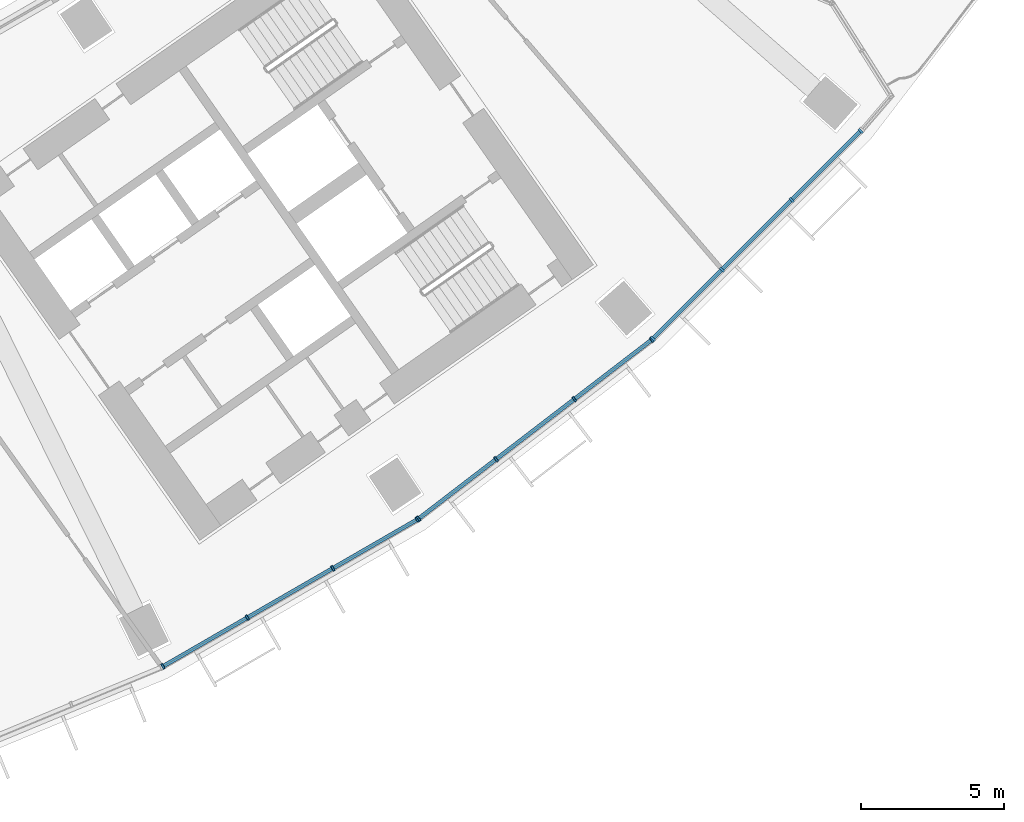
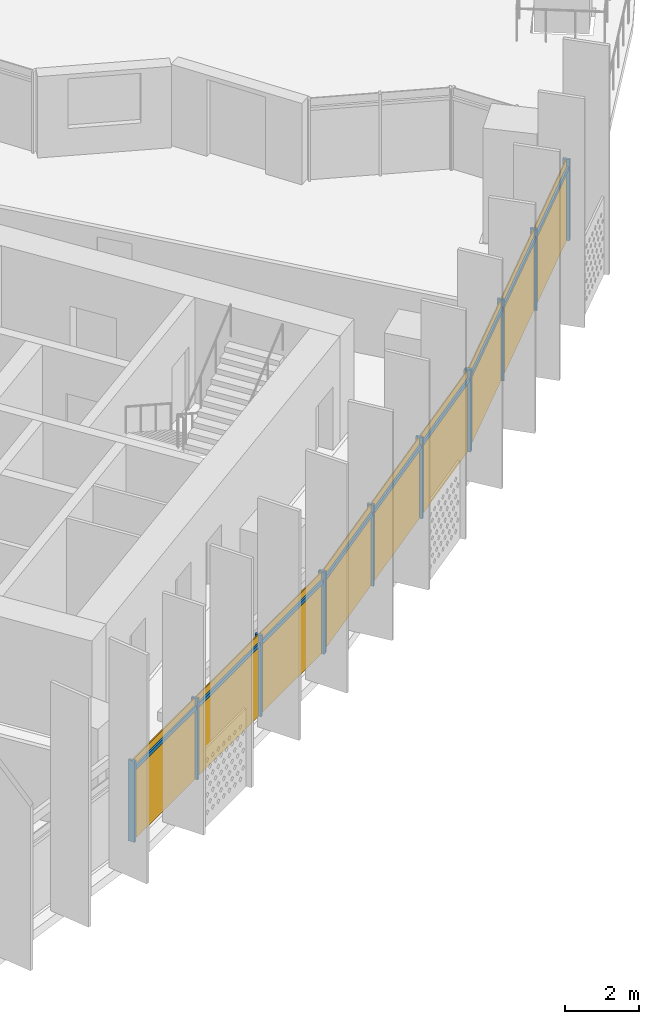
# One storey, part 22 of 33: 21 members, 3 curtain walls.
"""IFC4 building model written with IfcOpenShell, lengths in metres."""

import ifcopenshell
import ifcopenshell.guid

model = None  # the IFC model being written
_history = None  # IfcOwnerHistory: only IFC2X3 demands one
_inside = {}  # id of a spatial element -> (the spatial element, [elements in it])
_under = {}  # id of a project, library or spatial element -> (it, [spatial elements below it])
_declared = {}  # id of a project -> (the project, [libraries it declares])
_typed = {}  # id of a type object -> (the type object, [elements of that type])
_made_of = {}  # id of a material, layer set ... -> (it, [elements and type objects made of it])


def new_model(schema):
    """Start an empty IFC model of exactly this schema.

    Asked for "IFC4X3", IfcOpenShell would pick the latest addendum, in which some entities
    have other attributes; the version numbers below select the first issue.
    IFC2X3 requires an IfcOwnerHistory on every rooted entity: one is made here for all.
    """
    global model, _history
    if schema == "IFC4X3":
        model = ifcopenshell.file(schema_version=(4, 3, 0, 0))
    else:
        model = ifcopenshell.file(schema=schema)
    _inside.clear()
    _under.clear()
    _declared.clear()
    _typed.clear()
    _made_of.clear()
    _history = None
    if model.schema == "IFC2X3":
        org = make("IfcOrganization", Name="unknown")
        user = make(
            "IfcPersonAndOrganization",
            ThePerson=make("IfcPerson", FamilyName="unknown"),
            TheOrganization=org,
        )
        app = make(
            "IfcApplication",
            ApplicationDeveloper=org,
            Version="unknown",
            ApplicationFullName="unknown",
            ApplicationIdentifier="unknown",
        )
        _history = make(
            "IfcOwnerHistory",
            OwningUser=user,
            OwningApplication=app,
            ChangeAction="ADDED",
            CreationDate=0,
        )
    return model


def make(cls, **values):
    """One entity of the class cls with the attributes given. An attribute that is None is left unset."""
    return model.create_entity(
        cls, **{name: value for name, value in values.items() if value is not None}
    )


def rooted(cls, **values):
    """An entity with a GlobalId (a new one), such as an element, a storey or a relation."""
    return make(cls, GlobalId=ifcopenshell.guid.new(), OwnerHistory=_history, **values)


def si_unit(unit_type, name, prefix=None):
    """IfcSIUnit, for example si_unit("LENGTHUNIT", "METRE", prefix="MILLI")."""
    return make("IfcSIUnit", UnitType=unit_type, Prefix=prefix, Name=name)


def assignment(units):
    """IfcUnitAssignment: the units of a project."""
    return None if units is None else make("IfcUnitAssignment", Units=units)


def point(xyz):
    """IfcCartesianPoint."""
    return None if xyz is None else make("IfcCartesianPoint", Coordinates=xyz)


def direction(xyz):
    """IfcDirection."""
    return None if xyz is None else make("IfcDirection", DirectionRatios=xyz)


def frame(location, z_axis=None, x_axis=None):
    """IfcAxis2Placement3D, a coordinate frame: its origin and axes. An axis left out is left unset."""
    return make(
        "IfcAxis2Placement3D",
        Location=point(location),
        Axis=direction(z_axis),
        RefDirection=direction(x_axis),
    )


def frame_2d(location, x_axis=None):
    """IfcAxis2Placement2D, a coordinate frame in the plane: its origin and x axis."""
    return make(
        "IfcAxis2Placement2D", Location=point(location), RefDirection=direction(x_axis)
    )


def origin():
    """The frame at (0, 0, 0) with its axes left unset."""
    return frame((0.0, 0.0, 0.0))


def origin_2d():
    """The frame at (0, 0) in the plane with its x axis left unset."""
    return frame_2d((0.0, 0.0))


def place(relative_to, where):
    """IfcLocalPlacement: puts the frame where relative to a parent placement (None: the world)."""
    return make(
        "IfcLocalPlacement", PlacementRelTo=relative_to, RelativePlacement=where
    )


def context(
    kind, dimensions, precision=None, world=None, true_north=None, identifier=None
):
    """IfcGeometricRepresentationContext, for example the 3D "Model" context."""
    return make(
        "IfcGeometricRepresentationContext",
        ContextIdentifier=identifier,
        ContextType=kind,
        CoordinateSpaceDimension=dimensions,
        Precision=precision,
        WorldCoordinateSystem=world,
        TrueNorth=true_north,
    )


def subcontext(parent, identifier, kind, view, scale=None):
    """IfcGeometricRepresentationSubContext, for example "Body" below "Model"."""
    return make(
        "IfcGeometricRepresentationSubContext",
        ContextIdentifier=identifier,
        ContextType=kind,
        ParentContext=parent,
        TargetScale=scale,
        TargetView=view,
    )


def project(units=None, contexts=None):
    """IfcProject with its units and contexts."""
    return rooted(
        "IfcProject",
        Name="project",
        RepresentationContexts=contexts,
        UnitsInContext=assignment(units),
    )


def spatial(cls, under=None, at=None, **own):
    """A site, building, storey or space (cls), placed at a placement, below another one or the project."""
    s = rooted(cls, ObjectPlacement=at, **own)
    if under is not None:
        _under.setdefault(under.id(), (under, []))[1].append(s)
    return s


def profile(cls, at=None, kind="AREA", **sizes):
    """A parametric profile (cls). Its sizes go by their IFC names, for example OverallWidth=200.0."""
    return make(cls, ProfileType=kind, Position=at, **sizes)


def rectangle(**sizes):
    """IfcRectangleProfileDef."""
    return profile("IfcRectangleProfileDef", **sizes)


def extrude(swept, where, along, depth):
    """IfcExtrudedAreaSolid: the profile swept, set in the frame where, extruded along a direction by depth."""
    return make(
        "IfcExtrudedAreaSolid",
        SweptArea=swept,
        Position=where,
        ExtrudedDirection=direction(along),
        Depth=depth,
    )


def shape(context_of_items, identifier, shape_type, items):
    """IfcShapeRepresentation: the items that make up one representation, for example the "Body"."""
    return make(
        "IfcShapeRepresentation",
        ContextOfItems=context_of_items,
        RepresentationIdentifier=identifier,
        RepresentationType=shape_type,
        Items=items,
    )


def material(Name=None, Category=None):
    """IfcMaterial."""
    return make("IfcMaterial", Name=Name, Category=Category)


def material_profile(
    of_material, cross_section, Name=None, Category=None, Priority=None
):
    """IfcMaterialProfile: a cross section and its material."""
    return make(
        "IfcMaterialProfile",
        Name=Name,
        Material=of_material,
        Profile=cross_section,
        Priority=Priority,
        Category=Category,
    )


def profile_set(profiles, Name=None, composite=None):
    """IfcMaterialProfileSet."""
    return make(
        "IfcMaterialProfileSet",
        Name=Name,
        MaterialProfiles=profiles,
        CompositeProfile=composite,
    )


def made_of(thing, what):
    """Note that an element or type object is made of a material, layer set ...; save() writes the relation."""
    if what is not None:
        _made_of.setdefault(what.id(), (what, []))[1].append(thing)
    return thing


def type_object(cls, material=None, **own):
    """A type object (cls), such as IfcWallType, which elements share."""
    return made_of(rooted(cls, **own), material)


def element(
    cls,
    number,
    at=None,
    inside=None,
    cuts=None,
    type_object=None,
    material=None,
    context=None,
    identifier="Body",
    shape_type=None,
    held_by="IfcProductDefinitionShape",
    body=None,
    shapes=None,
    **own,
):
    """One element of the class cls, such as IfcWall. Its Tag is "e" and its number.

    at: its placement. inside: the storey or other place that contains it. cuts: it is an
    opening in that element (IfcRelVoidsElement). A single representation is given by context,
    identifier, shape_type and body (its items); several are given by shapes. held_by: the class
    of the entity that holds the representations. save() writes the other relations.
    """
    e = rooted(cls, Tag="e%d" % number, ObjectPlacement=at, **own)
    if body is not None:
        shapes = [shape(context, identifier, shape_type, body)]
    if shapes is not None:
        e.Representation = make(held_by, Representations=shapes)
    if inside is not None:
        _inside.setdefault(inside.id(), (inside, []))[1].append(e)
    if cuts is not None:
        rooted(
            "IfcRelVoidsElement", RelatingBuildingElement=cuts, RelatedOpeningElement=e
        )
    if type_object is not None:
        _typed.setdefault(type_object.id(), (type_object, []))[1].append(e)
    return made_of(e, material)


def aggregate(whole, parts):
    """IfcRelAggregates: a whole, such as a stair, and the parts it consists of."""
    return rooted("IfcRelAggregates", RelatingObject=whole, RelatedObjects=parts)


def save(model, path):
    """Write the relations noted so far, then the file.

    IfcRelAggregates (storeys below a building ...), IfcRelContainedInSpatialStructure (elements
    in a storey), IfcRelDefinesByType, IfcRelAssociatesMaterial and IfcRelDeclares: one each for
    every whole, place, type object, material and project.
    """
    for whole, parts in _under.values():
        aggregate(whole, parts)
    for where, things in _inside.values():
        rooted(
            "IfcRelContainedInSpatialStructure",
            RelatedElements=things,
            RelatingStructure=where,
        )
    for kind, things in _typed.values():
        rooted("IfcRelDefinesByType", RelatedObjects=things, RelatingType=kind)
    for what, things in _made_of.values():
        rooted("IfcRelAssociatesMaterial", RelatedObjects=things, RelatingMaterial=what)
    for by, libraries in _declared.values():
        rooted("IfcRelDeclares", RelatingContext=by, RelatedDefinitions=libraries)
    model.write(path)


model = new_model("IFC4")

# Units and contexts
model_context = context("Model", 3, precision=1e-05, world=origin(), true_north=direction((0.0, 1.0)))
body_context = subcontext(model_context, "Body", "Model", "MODEL_VIEW")
ifc_project = project(units=[si_unit("LENGTHUNIT", "METRE"), si_unit("AREAUNIT", "SQUARE_METRE"), si_unit("VOLUMEUNIT", "CUBIC_METRE"), si_unit("PLANEANGLEUNIT", "RADIAN"), si_unit("MASSUNIT", "GRAM", prefix="KILO")], contexts=[model_context])

# Member
ifc_material = material(Name="Aluminium 6063-T6 anodised", Category="aluminium")
ifc_material_profile_1 = material_profile(ifc_material, rectangle(XDim=0.199951171875, YDim=0.070068359375, at=origin_2d()))
ifc_profile_set_1 = profile_set([ifc_material_profile_1], Name="Aluminium 6063-T6 anodised")
member_type_1 = type_object("IfcMemberType", Name="Mullion 70 x 200 aluminium", PredefinedType="MULLION", material=ifc_profile_set_1)
site_placement = place(None, origin())
building_placement = place(site_placement, origin())
storey_placement = place(building_placement, frame((0.0, 0.0, 94.89990234375)))
member_1_placement = place(storey_placement, frame((35.0537109375, -71.017822265625, 0.0), z_axis=(0.0, 0.0, 1.0), x_axis=(-0.5, 0.866025403784, 0.0)))
member_1 = element("IfcMember", 1, at=member_1_placement, type_object=member_type_1, Name="e-cw1-L20-out13/M00", PredefinedType="MULLION", context=body_context, shape_type="SweptSolid", body=[
    extrude(rectangle(XDim=0.199951171875, YDim=0.070068359375, at=origin_2d()), origin(), (0.0, 0.0, 1.0), 2.7001953125),
])

member_2_placement = place(storey_placement, frame((38.017822265625, -69.306640625, 0.0), z_axis=(0.0, 0.0, 1.0), x_axis=(-0.5, 0.866025403784, 0.0)))
member_2 = element("IfcMember", 2, at=member_2_placement, type_object=member_type_1, Name="e-cw1-L20-out13/M01", PredefinedType="MULLION", context=body_context, shape_type="SweptSolid", body=[
    extrude(rectangle(XDim=0.199951171875, YDim=0.070068359375, at=origin_2d()), origin(), (0.0, 0.0, 1.0), 2.7001953125),
])

member_3_placement = place(storey_placement, frame((41.01220703125, -67.577880859375, 0.0), z_axis=(0.0, 0.0, 1.0), x_axis=(-0.5, 0.866025403784, 0.0)))
member_3 = element("IfcMember", 3, at=member_3_placement, type_object=member_type_1, Name="e-cw1-L20-out13/M02", PredefinedType="MULLION", context=body_context, shape_type="SweptSolid", body=[
    extrude(rectangle(XDim=0.199951171875, YDim=0.070068359375, at=origin_2d()), origin(), (0.0, 0.0, 1.0), 2.7001953125),
])

member_4_placement = place(storey_placement, frame((43.976318359375, -65.866455078125, 0.0), z_axis=(0.0, 0.0, 1.0), x_axis=(-0.5, 0.866025403784, 0.0)))
member_4 = element("IfcMember", 4, at=member_4_placement, type_object=member_type_1, Name="e-cw1-L20-out13/M03", PredefinedType="MULLION", context=body_context, shape_type="SweptSolid", body=[
    extrude(rectangle(XDim=0.199951171875, YDim=0.070068359375, at=origin_2d()), origin(), (0.0, 0.0, 1.0), 2.7001953125),
])

member_5_placement = place(storey_placement, frame((44.023681640625, -65.8349609375, 0.0), z_axis=(0.0, 0.0, 1.0), x_axis=(-0.608761429009, 0.793353340291, 0.0)))
member_5 = element("IfcMember", 5, at=member_5_placement, type_object=member_type_1, Name="e-cw1-L20-out14/M00", PredefinedType="MULLION", context=body_context, shape_type="SweptSolid", body=[
    extrude(rectangle(XDim=0.199951171875, YDim=0.070068359375, at=origin_2d()), origin(), (0.0, 0.0, 1.0), 2.7001953125),
])

member_6_placement = place(storey_placement, frame((46.739013671875, -63.751220703125, 0.0), z_axis=(0.0, 0.0, 1.0), x_axis=(-0.608761429009, 0.793353340291, 0.0)))
member_6 = element("IfcMember", 6, at=member_6_placement, type_object=member_type_1, Name="e-cw1-L20-out14/M01", PredefinedType="MULLION", context=body_context, shape_type="SweptSolid", body=[
    extrude(rectangle(XDim=0.199951171875, YDim=0.070068359375, at=origin_2d()), origin(), (0.0, 0.0, 1.0), 2.7001953125),
])

member_7_placement = place(storey_placement, frame((49.482177734375, -61.646484375, 0.0), z_axis=(0.0, 0.0, 1.0), x_axis=(-0.608761429009, 0.793353340291, 0.0)))
member_7 = element("IfcMember", 7, at=member_7_placement, type_object=member_type_1, Name="e-cw1-L20-out14/M02", PredefinedType="MULLION", context=body_context, shape_type="SweptSolid", body=[
    extrude(rectangle(XDim=0.199951171875, YDim=0.070068359375, at=origin_2d()), origin(), (0.0, 0.0, 1.0), 2.7001953125),
])

member_8_placement = place(storey_placement, frame((52.197509765625, -59.56298828125, 0.0), z_axis=(0.0, 0.0, 1.0), x_axis=(-0.608761429009, 0.793353340291, 0.0)))
member_8 = element("IfcMember", 8, at=member_8_placement, type_object=member_type_1, Name="e-cw1-L20-out14/M03", PredefinedType="MULLION", context=body_context, shape_type="SweptSolid", body=[
    extrude(rectangle(XDim=0.199951171875, YDim=0.070068359375, at=origin_2d()), origin(), (0.0, 0.0, 1.0), 2.7001953125),
])

member_9_placement = place(storey_placement, frame((52.240234375, -59.525390625, 0.0), z_axis=(0.0, 0.0, 1.0), x_axis=(-0.707106781187, 0.707106781187, 0.0)))
member_9 = element("IfcMember", 9, at=member_9_placement, type_object=member_type_1, Name="e-cw1-L20-out15/M00", PredefinedType="MULLION", context=body_context, shape_type="SweptSolid", body=[
    extrude(rectangle(XDim=0.199951171875, YDim=0.070068359375, at=origin_2d()), origin(), (0.0, 0.0, 1.0), 2.7001953125),
])

member_10_placement = place(storey_placement, frame((54.660400390625, -57.105224609375, 0.0), z_axis=(0.0, 0.0, 1.0), x_axis=(-0.707106781187, 0.707106781187, 0.0)))
member_10 = element("IfcMember", 10, at=member_10_placement, type_object=member_type_1, Name="e-cw1-L20-out15/M01", PredefinedType="MULLION", context=body_context, shape_type="SweptSolid", body=[
    extrude(rectangle(XDim=0.199951171875, YDim=0.070068359375, at=origin_2d()), origin(), (0.0, 0.0, 1.0), 2.7001953125),
])

member_11_placement = place(storey_placement, frame((57.105224609375, -54.660400390625, 0.0), z_axis=(0.0, 0.0, 1.0), x_axis=(-0.707106781187, 0.707106781187, 0.0)))
member_11 = element("IfcMember", 11, at=member_11_placement, type_object=member_type_1, Name="e-cw1-L20-out15/M02", PredefinedType="MULLION", context=body_context, shape_type="SweptSolid", body=[
    extrude(rectangle(XDim=0.199951171875, YDim=0.070068359375, at=origin_2d()), origin(), (0.0, 0.0, 1.0), 2.7001953125),
])

member_12_placement = place(storey_placement, frame((59.525390625, -52.240234375, 0.0), z_axis=(0.0, 0.0, 1.0), x_axis=(-0.707106781187, 0.707106781187, 0.0)))
member_12 = element("IfcMember", 12, at=member_12_placement, type_object=member_type_1, Name="e-cw1-L20-out15/M03", PredefinedType="MULLION", context=body_context, shape_type="SweptSolid", body=[
    extrude(rectangle(XDim=0.199951171875, YDim=0.070068359375, at=origin_2d()), origin(), (0.0, 0.0, 1.0), 2.7001953125),
])

ifc_material_profile_2 = material_profile(ifc_material, rectangle(XDim=0.139892578125, YDim=0.1201171875, at=origin_2d()))
ifc_profile_set_2 = profile_set([ifc_material_profile_2], Name="Aluminium 6063-T6 anodised")
member_type_2 = type_object("IfcMemberType", Name="Transom 120 x 140 aluminium", PredefinedType="USERDEFINED", material=ifc_profile_set_2)
member_13_placement = place(storey_placement, frame((35.084228515625, -71.00048828125, 2.400146484375), z_axis=(0.865989120267, 0.50006283963, 0.0), x_axis=(-0.50006283963, 0.865989120267, 0.0)))
member_13 = element("IfcMember", 13, at=member_13_placement, type_object=member_type_2, Name="e-cw1-L20-out13/T00", ObjectType="TRANSOM", PredefinedType="USERDEFINED", context=body_context, shape_type="SweptSolid", body=[
    extrude(rectangle(XDim=0.139892578125, YDim=0.1201171875, at=origin_2d()), origin(), (0.0, 0.0, 1.0), 3.3525390625),
])

member_14_placement = place(storey_placement, frame((38.048095703125, -69.2890625, 2.400146484375), z_axis=(0.866025971257, 0.499999017107, 0.0), x_axis=(-0.499999017107, 0.866025971257, 0.0)))
member_14 = element("IfcMember", 14, at=member_14_placement, type_object=member_type_2, Name="e-cw1-L20-out13/T01", ObjectType="TRANSOM", PredefinedType="USERDEFINED", context=body_context, shape_type="SweptSolid", body=[
    extrude(rectangle(XDim=0.139892578125, YDim=0.1201171875, at=origin_2d()), origin(), (0.0, 0.0, 1.0), 3.3876953125),
])

member_15_placement = place(storey_placement, frame((41.042724609375, -67.560302734375, 2.400146484375), z_axis=(0.866020654818, 0.50000822536, 0.0), x_axis=(-0.50000822536, 0.866020654818, 0.0)))
member_15 = element("IfcMember", 15, at=member_15_placement, type_object=member_type_2, Name="e-cw1-L20-out13/T02", ObjectType="TRANSOM", PredefinedType="USERDEFINED", context=body_context, shape_type="SweptSolid", body=[
    extrude(rectangle(XDim=0.139892578125, YDim=0.1201171875, at=origin_2d()), origin(), (0.0, 0.0, 1.0), 3.3525390625),
])

member_16_placement = place(storey_placement, frame((44.05126953125, -65.8134765625, 2.400146484375), z_axis=(0.793389477316, 0.608714331426, 0.0), x_axis=(-0.608714331426, 0.793389477316, 0.0)))
member_16 = element("IfcMember", 16, at=member_16_placement, type_object=member_type_2, Name="e-cw1-L20-out14/T00", ObjectType="TRANSOM", PredefinedType="USERDEFINED", context=body_context, shape_type="SweptSolid", body=[
    extrude(rectangle(XDim=0.139892578125, YDim=0.1201171875, at=origin_2d()), origin(), (0.0, 0.0, 1.0), 3.3525390625),
])

member_17_placement = place(storey_placement, frame((46.766845703125, -63.72998046875, 2.400146484375), z_axis=(0.793344133173, 0.608773427772, 0.0), x_axis=(-0.608773427772, 0.793344133173, 0.0)))
member_17 = element("IfcMember", 17, at=member_17_placement, type_object=member_type_2, Name="e-cw1-L20-out14/T01", ObjectType="TRANSOM", PredefinedType="USERDEFINED", context=body_context, shape_type="SweptSolid", body=[
    extrude(rectangle(XDim=0.139892578125, YDim=0.1201171875, at=origin_2d()), origin(), (0.0, 0.0, 1.0), 3.387451171875),
])

member_18_placement = place(storey_placement, frame((49.509765625, -61.625244140625, 2.400146484375), z_axis=(0.793354308621, 0.608760167055, 0.0), x_axis=(-0.608760167055, 0.793354308621, 0.0)))
member_18 = element("IfcMember", 18, at=member_18_placement, type_object=member_type_2, Name="e-cw1-L20-out14/T02", ObjectType="TRANSOM", PredefinedType="USERDEFINED", context=body_context, shape_type="SweptSolid", body=[
    extrude(rectangle(XDim=0.139892578125, YDim=0.1201171875, at=origin_2d()), origin(), (0.0, 0.0, 1.0), 3.352783203125),
])

member_19_placement = place(storey_placement, frame((52.264892578125, -59.500732421875, 2.400146484375), z_axis=(0.707106781187, 0.707106781187, 0.0), x_axis=(-0.707106781187, 0.707106781187, 0.0)))
member_19 = element("IfcMember", 19, at=member_19_placement, type_object=member_type_2, Name="e-cw1-L20-out15/T00", ObjectType="TRANSOM", PredefinedType="USERDEFINED", context=body_context, shape_type="SweptSolid", body=[
    extrude(rectangle(XDim=0.139892578125, YDim=0.1201171875, at=origin_2d()), origin(), (0.0, 0.0, 1.0), 3.3525390625),
])

member_20_placement = place(storey_placement, frame((54.68505859375, -57.08056640625, 2.400146484375), z_axis=(0.707106781187, 0.707106781187, 0.0), x_axis=(-0.707106781187, 0.707106781187, 0.0)))
member_20 = element("IfcMember", 20, at=member_20_placement, type_object=member_type_2, Name="e-cw1-L20-out15/T01", ObjectType="TRANSOM", PredefinedType="USERDEFINED", context=body_context, shape_type="SweptSolid", body=[
    extrude(rectangle(XDim=0.139892578125, YDim=0.1201171875, at=origin_2d()), origin(), (0.0, 0.0, 1.0), 3.3876953125),
])

member_21_placement = place(storey_placement, frame((57.130126953125, -54.635498046875, 2.400146484375), z_axis=(0.707106781187, 0.707106781187, 0.0), x_axis=(-0.707106781187, 0.707106781187, 0.0)))
member_21 = element("IfcMember", 21, at=member_21_placement, type_object=member_type_2, Name="e-cw1-L20-out15/T02", ObjectType="TRANSOM", PredefinedType="USERDEFINED", context=body_context, shape_type="SweptSolid", body=[
    extrude(rectangle(XDim=0.139892578125, YDim=0.1201171875, at=origin_2d()), origin(), (0.0, 0.0, 1.0), 3.3525390625),
])

# Site, building, storey
site = spatial("IfcSite", under=ifc_project, at=site_placement, CompositionType="ELEMENT")
building = spatial("IfcBuilding", under=site, at=building_placement, Name="Qamariyya Broadcast Tower", CompositionType="ELEMENT")
storey = spatial("IfcBuildingStorey", under=building, at=storey_placement, Name="L20", CompositionType="ELEMENT", Elevation=94.89990234375)

# Curtain wall
curtain_wall_type = type_object("IfcCurtainWallType", Name="Unitised curtain wall, anodised aluminium", PredefinedType="NOTDEFINED", material=ifc_material)
curtain_wall_1_placement = place(storey_placement, origin())
curtain_wall_1 = element("IfcCurtainWall", 22, at=curtain_wall_1_placement, inside=storey, type_object=curtain_wall_type, Name="e-cw1-L20-out13", PredefinedType="NOTDEFINED", context=body_context, shape_type="SweptSolid", body=[
    extrude(rectangle(XDim=3.352783203125, YDim=0.031982421875, at=origin_2d()), frame((36.535888671875, -70.162109375, 0.0), x_axis=(0.866027243369, 0.499996813733, 0.0)), (0.0, 0.0, 1.0), 2.340087890625),
    extrude(rectangle(XDim=3.352783203125, YDim=0.031982421875, at=origin_2d()), frame((36.535888671875, -70.162109375, 2.460205078125), x_axis=(0.866027243369, 0.499996813733, 0.0)), (0.0, 0.0, 1.0), 0.239990234375),
    extrude(rectangle(XDim=3.3876953125, YDim=0.031982421875, at=origin_2d()), frame((39.51513671875, -68.442138671875, 0.0), x_axis=(0.866027243369, 0.499996813733, 0.0)), (0.0, 0.0, 1.0), 2.340087890625),
    extrude(rectangle(XDim=3.3876953125, YDim=0.031982421875, at=origin_2d()), frame((39.51513671875, -68.442138671875, 2.460205078125), x_axis=(0.866027243369, 0.499996813733, 0.0)), (0.0, 0.0, 1.0), 0.239990234375),
    extrude(rectangle(XDim=3.352783203125, YDim=0.031982421875, at=origin_2d()), frame((42.494384765625, -66.72216796875, 0.0), x_axis=(0.866027243369, 0.499996813733, 0.0)), (0.0, 0.0, 1.0), 2.340087890625),
    extrude(rectangle(XDim=3.352783203125, YDim=0.031982421875, at=origin_2d()), frame((42.494384765625, -66.72216796875, 2.460205078125), x_axis=(0.866027243369, 0.499996813733, 0.0)), (0.0, 0.0, 1.0), 0.239990234375),
])

aggregate(curtain_wall_1, [member_1, member_2, member_3, member_4, member_13, member_14, member_15])

curtain_wall_2_placement = place(storey_placement, origin())
curtain_wall_2 = element("IfcCurtainWall", 23, at=curtain_wall_2_placement, inside=storey, type_object=curtain_wall_type, Name="e-cw1-L20-out14", PredefinedType="NOTDEFINED", context=body_context, shape_type="SweptSolid", body=[
    extrude(rectangle(XDim=3.352783203125, YDim=0.031982421875, at=origin_2d()), frame((45.38134765625, -64.793212890625, 0.0), x_axis=(0.793354000839, 0.608760568165, 0.0)), (0.0, 0.0, 1.0), 2.340087890625),
    extrude(rectangle(XDim=3.352783203125, YDim=0.031982421875, at=origin_2d()), frame((45.38134765625, -64.793212890625, 2.460205078125), x_axis=(0.793354000839, 0.608760568165, 0.0)), (0.0, 0.0, 1.0), 0.239990234375),
    extrude(rectangle(XDim=3.3876953125, YDim=0.031982421875, at=origin_2d()), frame((48.110595703125, -62.69873046875, 0.0), x_axis=(0.793354000839, 0.608760568165, 0.0)), (0.0, 0.0, 1.0), 2.340087890625),
    extrude(rectangle(XDim=3.3876953125, YDim=0.031982421875, at=origin_2d()), frame((48.110595703125, -62.69873046875, 2.460205078125), x_axis=(0.793354000839, 0.608760568165, 0.0)), (0.0, 0.0, 1.0), 0.239990234375),
    extrude(rectangle(XDim=3.352783203125, YDim=0.031982421875, at=origin_2d()), frame((50.83984375, -60.6044921875, 0.0), x_axis=(0.793354000839, 0.608760568165, 0.0)), (0.0, 0.0, 1.0), 2.340087890625),
    extrude(rectangle(XDim=3.352783203125, YDim=0.031982421875, at=origin_2d()), frame((50.83984375, -60.6044921875, 2.460205078125), x_axis=(0.793354000839, 0.608760568165, 0.0)), (0.0, 0.0, 1.0), 0.239990234375),
])

aggregate(curtain_wall_2, [member_5, member_6, member_7, member_8, member_16, member_17, member_18])

curtain_wall_3_placement = place(storey_placement, origin())
curtain_wall_3 = element("IfcCurtainWall", 24, at=curtain_wall_3_placement, inside=storey, type_object=curtain_wall_type, Name="e-cw1-L20-out15", PredefinedType="NOTDEFINED", context=body_context, shape_type="SweptSolid", body=[
    extrude(rectangle(XDim=3.352783203125, YDim=0.031982421875, at=origin_2d()), frame((53.4501953125, -58.3154296875, 0.0), x_axis=(0.707106781187, 0.707106781187, 0.0)), (0.0, 0.0, 1.0), 2.340087890625),
    extrude(rectangle(XDim=3.352783203125, YDim=0.031982421875, at=origin_2d()), frame((53.4501953125, -58.3154296875, 2.460205078125), x_axis=(0.707106781187, 0.707106781187, 0.0)), (0.0, 0.0, 1.0), 0.239990234375),
    extrude(rectangle(XDim=3.3876953125, YDim=0.031982421875, at=origin_2d()), frame((55.8828125, -55.8828125, 0.0), x_axis=(0.707106781187, 0.707106781187, 0.0)), (0.0, 0.0, 1.0), 2.340087890625),
    extrude(rectangle(XDim=3.3876953125, YDim=0.031982421875, at=origin_2d()), frame((55.8828125, -55.8828125, 2.460205078125), x_axis=(0.707106781187, 0.707106781187, 0.0)), (0.0, 0.0, 1.0), 0.239990234375),
    extrude(rectangle(XDim=3.352783203125, YDim=0.031982421875, at=origin_2d()), frame((58.3154296875, -53.4501953125, 0.0), x_axis=(0.707106781187, 0.707106781187, 0.0)), (0.0, 0.0, 1.0), 2.340087890625),
    extrude(rectangle(XDim=3.352783203125, YDim=0.031982421875, at=origin_2d()), frame((58.3154296875, -53.4501953125, 2.460205078125), x_axis=(0.707106781187, 0.707106781187, 0.0)), (0.0, 0.0, 1.0), 0.239990234375),
])

aggregate(curtain_wall_3, [member_9, member_10, member_11, member_12, member_19, member_20, member_21])

save(model, "model.ifc")
